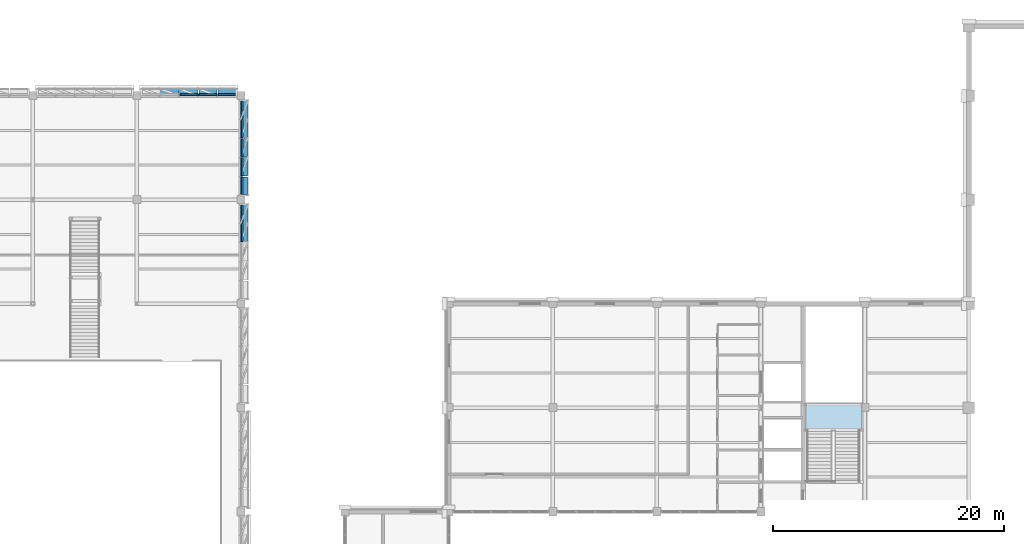
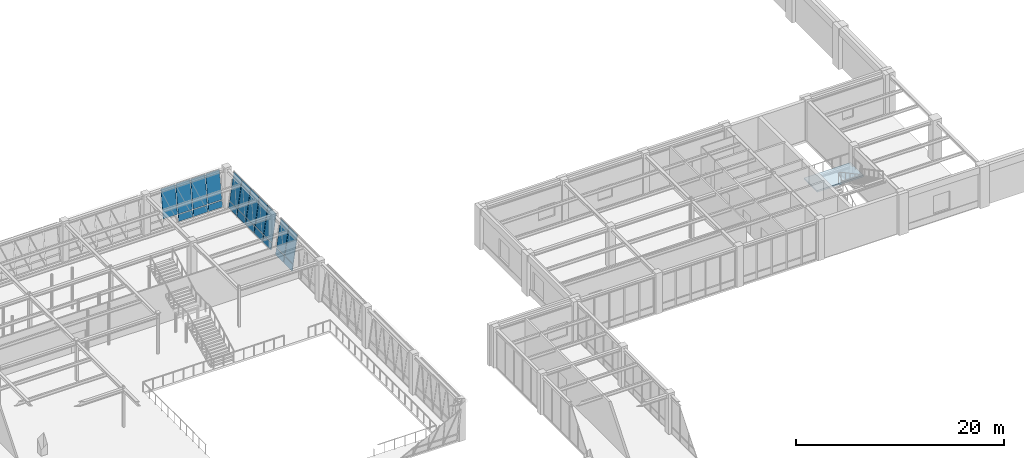
# One storey, part 75 of 92: 21 plates, 1 slab, 4 elements without a shape of their own.
"""IFC4 building model written with IfcOpenShell, lengths in metres."""

from ifc_helpers import new_model, si_unit, direction, frame, origin, origin_2d, place, context, subcontext, project, spatial, polyline, rectangle, outline, extrude, material, layer, layer_set, type_object, element, aggregate, save


model = new_model("IFC4")

# Units and contexts
model_context = context("Model", 3, precision=1e-05, world=origin(), true_north=direction((0.0, 1.0)))
body_context = subcontext(model_context, "Body", "Model", "MODEL_VIEW")
ifc_project = project(units=[si_unit("LENGTHUNIT", "METRE"), si_unit("AREAUNIT", "SQUARE_METRE"), si_unit("VOLUMEUNIT", "CUBIC_METRE"), si_unit("PLANEANGLEUNIT", "RADIAN"), si_unit("MASSUNIT", "GRAM", prefix="KILO")], contexts=[model_context])

# Site, building, storey
site_placement = place(None, origin())
site = spatial("IfcSite", under=ifc_project, at=site_placement, CompositionType="ELEMENT")
building_placement = place(site_placement, origin())
building = spatial("IfcBuilding", under=site, at=building_placement, Name="Lykobir Media Centre", CompositionType="ELEMENT")
storey_placement = place(building_placement, frame((0.0, 0.0, 5.39990234375)))
storey = spatial("IfcBuildingStorey", under=building, at=storey_placement, Name="L01", CompositionType="ELEMENT", Elevation=5.39990234375)

# Curtain wall, plates
ifc_material_1 = material(Name="Anodized Aluminium AW-6060", Category="aluminium")
curtain_wall_type = type_object("IfcCurtainWallType", Name="CW-V6-CR1", PredefinedType="NOTDEFINED", material=ifc_material_1)
curtain_wall_1_placement = place(storey_placement, origin())
curtain_wall_1 = element("IfcCurtainWall", 1, at=curtain_wall_1_placement, inside=storey, type_object=curtain_wall_type, Name="Curtain wall CW2-L01-0061", PredefinedType="NOTDEFINED")
ifc_material_2 = material(Name="Low-E Laminated Triple Glazing", Category="glass")
ifc_layer_1 = layer(ifc_material_2, 0.0439453125, Name="Low-E Laminated Triple Glazing")
ifc_layer_set_1 = layer_set([ifc_layer_1], Name="Low-E Laminated Triple Glazing")
plate_type_1 = type_object("IfcPlateType", Name="CWP-GLZ-44", PredefinedType="CURTAIN_PANEL", material=ifc_layer_set_1)
plate_1_placement = place(storey_placement, frame((81.126708984375, 96.157958984375, 0.87841796875), z_axis=(0.142628933706, 0.0, 0.989776230908), x_axis=(0.0, 1.0, 0.0)))
plate_1 = element("IfcPlate", 2, at=plate_1_placement, type_object=plate_type_1, Name="CW2-L01-0061 panel 4.2", PredefinedType="CURTAIN_PANEL", context=body_context, shape_type="SweptSolid", body=[
    extrude(rectangle(XDim=1.5830078125, YDim=0.0439453125, at=origin_2d()), origin(), (0.0, 0.0, 1.0), 3.27587890625),
])
plate_2_placement = place(storey_placement, frame((81.126708984375, 97.797119140625, 0.87841796875), z_axis=(0.142628933706, 0.0, 0.989776230908), x_axis=(0.0, 1.0, 0.0)))
plate_2 = element("IfcPlate", 3, at=plate_2_placement, type_object=plate_type_1, Name="CW2-L01-0061 panel 5.2", PredefinedType="CURTAIN_PANEL", context=body_context, shape_type="SweptSolid", body=[
    extrude(rectangle(XDim=1.54541015625, YDim=0.0439453125, at=origin_2d()), origin(), (0.0, 0.0, 1.0), 3.27587890625),
])

curtain_wall_2_placement = place(storey_placement, origin())
curtain_wall_2 = element("IfcCurtainWall", 4, at=curtain_wall_2_placement, inside=storey, type_object=curtain_wall_type, Name="Curtain wall CW2-L01-0062", PredefinedType="NOTDEFINED")
plate_3_placement = place(storey_placement, frame((81.126708984375, 100.202880859375, 0.87841796875), z_axis=(0.142628933706, 0.0, 0.989776230908), x_axis=(0.0, 1.0, 0.0)))
plate_3 = element("IfcPlate", 5, at=plate_3_placement, type_object=plate_type_1, Name="CW2-L01-0062 panel 1.2", PredefinedType="CURTAIN_PANEL", context=body_context, shape_type="SweptSolid", body=[
    extrude(rectangle(XDim=1.54541015625, YDim=0.0439453125, at=origin_2d()), origin(), (0.0, 0.0, 1.0), 3.27587890625),
])
plate_4_placement = place(storey_placement, frame((81.126708984375, 101.842041015625, 0.87841796875), z_axis=(0.142628933706, 0.0, 0.989776230908), x_axis=(0.0, 1.0, 0.0)))
plate_4 = element("IfcPlate", 6, at=plate_4_placement, type_object=plate_type_1, Name="CW2-L01-0062 panel 2.2", PredefinedType="CURTAIN_PANEL", context=body_context, shape_type="SweptSolid", body=[
    extrude(rectangle(XDim=1.5830078125, YDim=0.0439453125, at=origin_2d()), origin(), (0.0, 0.0, 1.0), 3.27587890625),
])
plate_5_placement = place(storey_placement, frame((81.126708984375, 103.5, 0.87841796875), z_axis=(0.142628933706, 0.0, 0.989776230908), x_axis=(0.0, 1.0, 0.0)))
plate_5 = element("IfcPlate", 7, at=plate_5_placement, type_object=plate_type_1, Name="CW2-L01-0062 panel 3.2", PredefinedType="CURTAIN_PANEL", context=body_context, shape_type="SweptSolid", body=[
    extrude(rectangle(XDim=1.5830078125, YDim=0.0439453125, at=origin_2d()), origin(), (0.0, 0.0, 1.0), 3.27587890625),
])
plate_6_placement = place(storey_placement, frame((81.126708984375, 105.157958984375, 0.87841796875), z_axis=(0.142628933706, 0.0, 0.989776230908), x_axis=(0.0, 1.0, 0.0)))
plate_6 = element("IfcPlate", 8, at=plate_6_placement, type_object=plate_type_1, Name="CW2-L01-0062 panel 4.2", PredefinedType="CURTAIN_PANEL", context=body_context, shape_type="SweptSolid", body=[
    extrude(rectangle(XDim=1.5830078125, YDim=0.0439453125, at=origin_2d()), origin(), (0.0, 0.0, 1.0), 3.27587890625),
])
plate_7_placement = place(storey_placement, frame((81.126708984375, 106.797119140625, 0.87841796875), z_axis=(0.142628933706, 0.0, 0.989776230908), x_axis=(0.0, 1.0, 0.0)))
plate_7 = element("IfcPlate", 9, at=plate_7_placement, type_object=plate_type_1, Name="CW2-L01-0062 panel 5.2", PredefinedType="CURTAIN_PANEL", context=body_context, shape_type="SweptSolid", body=[
    extrude(rectangle(XDim=1.54541015625, YDim=0.0439453125, at=origin_2d()), origin(), (0.0, 0.0, 1.0), 3.27587890625),
])

curtain_wall_3_placement = place(storey_placement, origin())
curtain_wall_3 = element("IfcCurtainWall", 10, at=curtain_wall_3_placement, inside=storey, type_object=curtain_wall_type, Name="Curtain wall CW2-L01-0067", PredefinedType="NOTDEFINED")
plate_8_placement = place(storey_placement, frame((79.797119140625, 108.126708984375, 0.87841796875), z_axis=(0.0, 0.142628933706, 0.989776230908), x_axis=(-1.0, 0.0, 0.0)))
plate_8 = element("IfcPlate", 11, at=plate_8_placement, type_object=plate_type_1, Name="CW2-L01-0067 panel 1.2", PredefinedType="CURTAIN_PANEL", context=body_context, shape_type="SweptSolid", body=[
    extrude(rectangle(XDim=1.54541015625, YDim=0.0439453125, at=origin_2d()), origin(), (0.0, 0.0, 1.0), 3.27587890625),
])
plate_9_placement = place(storey_placement, frame((78.157958984375, 108.126708984375, 0.87841796875), z_axis=(0.0, 0.142628933706, 0.989776230908), x_axis=(-1.0, 0.0, 0.0)))
plate_9 = element("IfcPlate", 12, at=plate_9_placement, type_object=plate_type_1, Name="CW2-L01-0067 panel 2.2", PredefinedType="CURTAIN_PANEL", context=body_context, shape_type="SweptSolid", body=[
    extrude(rectangle(XDim=1.5830078125, YDim=0.0439453125, at=origin_2d()), origin(), (0.0, 0.0, 1.0), 3.27587890625),
])
plate_10_placement = place(storey_placement, frame((76.5, 108.126708984375, 0.87841796875), z_axis=(0.0, 0.142628933706, 0.989776230908), x_axis=(-1.0, 0.0, 0.0)))
plate_10 = element("IfcPlate", 13, at=plate_10_placement, type_object=plate_type_1, Name="CW2-L01-0067 panel 3.2", PredefinedType="CURTAIN_PANEL", context=body_context, shape_type="SweptSolid", body=[
    extrude(rectangle(XDim=1.5830078125, YDim=0.0439453125, at=origin_2d()), origin(), (0.0, 0.0, 1.0), 3.27587890625),
])
plate_11_placement = place(storey_placement, frame((74.842041015625, 108.126708984375, 0.87841796875), z_axis=(0.0, 0.142628933706, 0.989776230908), x_axis=(-1.0, 0.0, 0.0)))
plate_11 = element("IfcPlate", 14, at=plate_11_placement, type_object=plate_type_1, Name="CW2-L01-0067 panel 4.2", PredefinedType="CURTAIN_PANEL", context=body_context, shape_type="SweptSolid", body=[
    extrude(rectangle(XDim=1.5830078125, YDim=0.0439453125, at=origin_2d()), origin(), (0.0, 0.0, 1.0), 3.27587890625),
])

# Plate
ifc_material_3 = material(Name="Glazed Turquoise Terracotta", Category="masonry")
ifc_layer_2 = layer(ifc_material_3, 0.06005859375, Name="Glazed Turquoise Terracotta")
ifc_layer_set_2 = layer_set([ifc_layer_2], Name="Glazed Turquoise Terracotta")
plate_type_2 = type_object("IfcPlateType", Name="CWP-SPN-60", PredefinedType="CURTAIN_PANEL", material=ifc_layer_set_2)
plate_12_placement = place(storey_placement, frame((81.0107421875, 96.157958984375, 0.07421875), z_axis=(0.142628933706, 0.0, 0.989776230908), x_axis=(0.0, 1.0, 0.0)))
plate_12 = element("IfcPlate", 15, at=plate_12_placement, type_object=plate_type_2, Name="CW2-L01-0061 panel 4.1", PredefinedType="CURTAIN_PANEL", context=body_context, shape_type="SweptSolid", body=[
    extrude(rectangle(XDim=1.5830078125, YDim=0.06005859375, at=origin_2d()), origin(), (0.0, 0.0, 1.0), 0.737548828125),
])

plate_13_placement = place(storey_placement, frame((81.0107421875, 97.797119140625, 0.07421875), z_axis=(0.142628933706, 0.0, 0.989776230908), x_axis=(0.0, 1.0, 0.0)))
plate_13 = element("IfcPlate", 16, at=plate_13_placement, type_object=plate_type_2, Name="CW2-L01-0061 panel 5.1", PredefinedType="CURTAIN_PANEL", context=body_context, shape_type="SweptSolid", body=[
    extrude(rectangle(XDim=1.54541015625, YDim=0.06005859375, at=origin_2d()), origin(), (0.0, 0.0, 1.0), 0.737548828125),
])

aggregate(curtain_wall_1, [plate_12, plate_1, plate_13, plate_2])

plate_14_placement = place(storey_placement, frame((81.0107421875, 100.202880859375, 0.07421875), z_axis=(0.142628933706, 0.0, 0.989776230908), x_axis=(0.0, 1.0, 0.0)))
plate_14 = element("IfcPlate", 17, at=plate_14_placement, type_object=plate_type_2, Name="CW2-L01-0062 panel 1.1", PredefinedType="CURTAIN_PANEL", context=body_context, shape_type="SweptSolid", body=[
    extrude(rectangle(XDim=1.54541015625, YDim=0.06005859375, at=origin_2d()), origin(), (0.0, 0.0, 1.0), 0.737548828125),
])

plate_15_placement = place(storey_placement, frame((81.0107421875, 101.842041015625, 0.07421875), z_axis=(0.142628933706, 0.0, 0.989776230908), x_axis=(0.0, 1.0, 0.0)))
plate_15 = element("IfcPlate", 18, at=plate_15_placement, type_object=plate_type_2, Name="CW2-L01-0062 panel 2.1", PredefinedType="CURTAIN_PANEL", context=body_context, shape_type="SweptSolid", body=[
    extrude(rectangle(XDim=1.5830078125, YDim=0.06005859375, at=origin_2d()), origin(), (0.0, 0.0, 1.0), 0.737548828125),
])

plate_16_placement = place(storey_placement, frame((81.0107421875, 103.5, 0.07421875), z_axis=(0.142628933706, 0.0, 0.989776230908), x_axis=(0.0, 1.0, 0.0)))
plate_16 = element("IfcPlate", 19, at=plate_16_placement, type_object=plate_type_2, Name="CW2-L01-0062 panel 3.1", PredefinedType="CURTAIN_PANEL", context=body_context, shape_type="SweptSolid", body=[
    extrude(rectangle(XDim=1.5830078125, YDim=0.06005859375, at=origin_2d()), origin(), (0.0, 0.0, 1.0), 0.737548828125),
])

plate_17_placement = place(storey_placement, frame((81.0107421875, 105.157958984375, 0.07421875), z_axis=(0.142628933706, 0.0, 0.989776230908), x_axis=(0.0, 1.0, 0.0)))
plate_17 = element("IfcPlate", 20, at=plate_17_placement, type_object=plate_type_2, Name="CW2-L01-0062 panel 4.1", PredefinedType="CURTAIN_PANEL", context=body_context, shape_type="SweptSolid", body=[
    extrude(rectangle(XDim=1.5830078125, YDim=0.06005859375, at=origin_2d()), origin(), (0.0, 0.0, 1.0), 0.737548828125),
])

plate_18_placement = place(storey_placement, frame((81.0107421875, 106.797119140625, 0.07421875), z_axis=(0.142628933706, 0.0, 0.989776230908), x_axis=(0.0, 1.0, 0.0)))
plate_18 = element("IfcPlate", 21, at=plate_18_placement, type_object=plate_type_2, Name="CW2-L01-0062 panel 5.1", PredefinedType="CURTAIN_PANEL", context=body_context, shape_type="SweptSolid", body=[
    extrude(rectangle(XDim=1.54541015625, YDim=0.06005859375, at=origin_2d()), origin(), (0.0, 0.0, 1.0), 0.737548828125),
])

aggregate(curtain_wall_2, [plate_14, plate_3, plate_15, plate_4, plate_16, plate_5, plate_17, plate_6, plate_18, plate_7])

plate_19_placement = place(storey_placement, frame((79.797119140625, 108.0107421875, 0.07421875), z_axis=(0.0, 0.142628933706, 0.989776230908), x_axis=(-1.0, 0.0, 0.0)))
plate_19 = element("IfcPlate", 22, at=plate_19_placement, type_object=plate_type_2, Name="CW2-L01-0067 panel 1.1", PredefinedType="CURTAIN_PANEL", context=body_context, shape_type="SweptSolid", body=[
    extrude(rectangle(XDim=1.54541015625, YDim=0.06005859375, at=origin_2d()), origin(), (0.0, 0.0, 1.0), 0.737548828125),
])

plate_20_placement = place(storey_placement, frame((78.157958984375, 108.0107421875, 0.07421875), z_axis=(0.0, 0.142628933706, 0.989776230908), x_axis=(-1.0, 0.0, 0.0)))
plate_20 = element("IfcPlate", 23, at=plate_20_placement, type_object=plate_type_2, Name="CW2-L01-0067 panel 2.1", PredefinedType="CURTAIN_PANEL", context=body_context, shape_type="SweptSolid", body=[
    extrude(rectangle(XDim=1.5830078125, YDim=0.06005859375, at=origin_2d()), origin(), (0.0, 0.0, 1.0), 0.737548828125),
])

plate_21_placement = place(storey_placement, frame((76.5, 108.0107421875, 0.07421875), z_axis=(0.0, 0.142628933706, 0.989776230908), x_axis=(-1.0, 0.0, 0.0)))
plate_21 = element("IfcPlate", 24, at=plate_21_placement, type_object=plate_type_2, Name="CW2-L01-0067 panel 3.1", PredefinedType="CURTAIN_PANEL", context=body_context, shape_type="SweptSolid", body=[
    extrude(rectangle(XDim=1.5830078125, YDim=0.06005859375, at=origin_2d()), origin(), (0.0, 0.0, 1.0), 0.737548828125),
])

aggregate(curtain_wall_3, [plate_19, plate_8, plate_20, plate_9, plate_21, plate_10, plate_11])

# Stair, slab
ifc_material_4 = material(Name="Concrete C30/37", Category="concrete")
stair_type = type_object("IfcStairType", Name="ST-HT-480", PredefinedType="HALF_TURN_STAIR", material=ifc_material_4)
stair_placement = place(storey_placement, origin())
stair = element("IfcStair", 25, at=stair_placement, inside=storey, type_object=stair_type, Name="Escape stair ST-4 L01", PredefinedType="HALF_TURN_STAIR")
ifc_layer_3 = layer(ifc_material_4, 0.195068359375, Name="Concrete C30/37")
ifc_layer_set_3 = layer_set([ifc_layer_3], Name="Concrete C30/37")
slab_type = type_object("IfcSlabType", Name="SL-195", PredefinedType="LANDING", material=ifc_layer_set_3)
slab_placement = place(storey_placement, frame((0.0, 0.0, 2.205078125)))
slab = element("IfcSlab", 26, at=slab_placement, type_object=slab_type, Name="ST-4-L01 landing 1", PredefinedType="LANDING", context=body_context, shape_type="SweptSolid", body=[
    extrude(outline(polyline([(129.72998046875, 78.949951171875), (134.8701171875, 78.949951171875), (134.8701171875, 81.429931640625), (129.72998046875, 81.429931640625), (129.72998046875, 78.949951171875)])), origin(), (0.0, 0.0, 1.0), 0.195068359375),
])
aggregate(stair, [slab])

save(model, "model.ifc")
